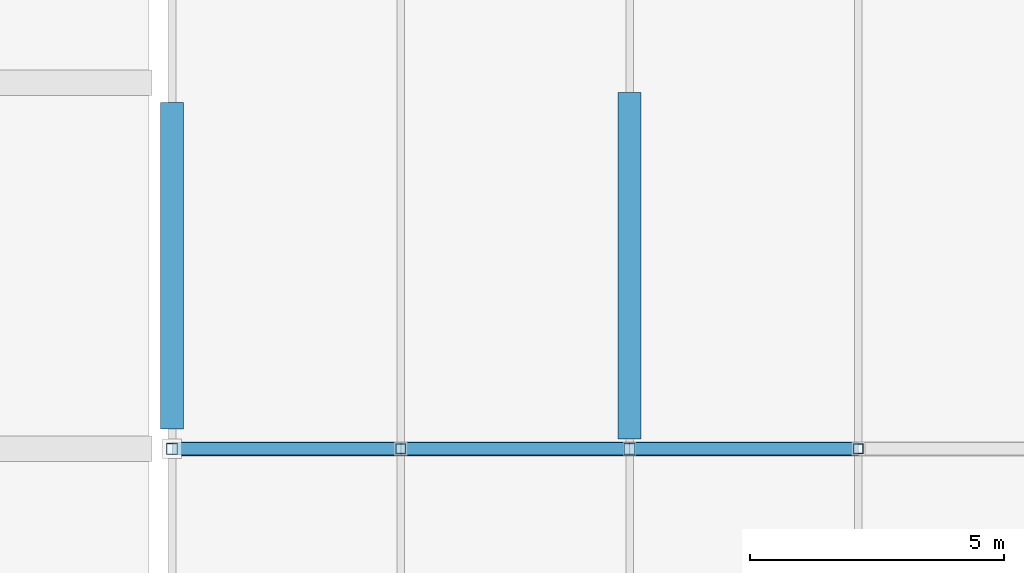
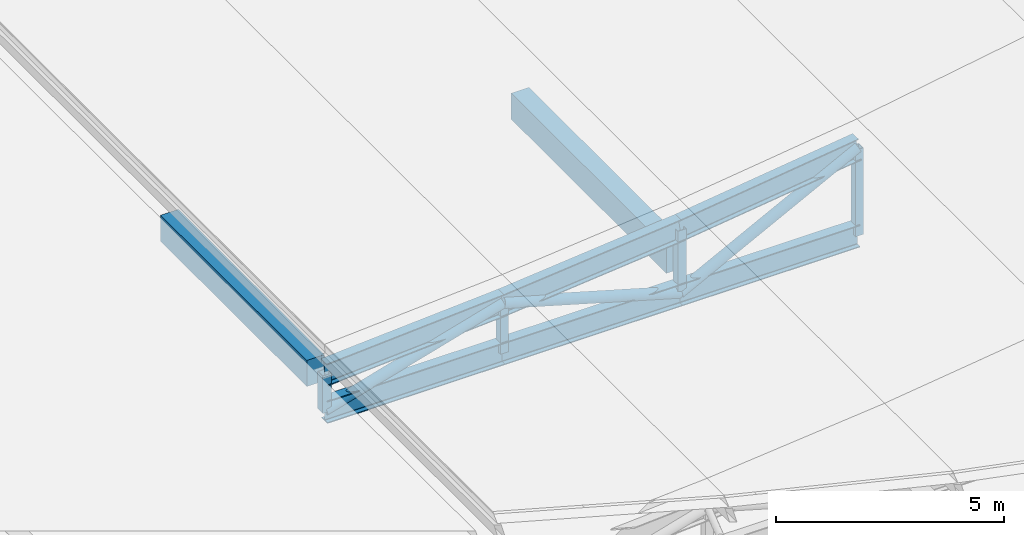
# One storey, part 11 of 24: 8 beams, 7 members.
"""IFC4 building model written with IfcOpenShell, lengths in metres."""

from ifc_helpers import new_model, si_unit, direction, frame, origin, origin_2d, place, context, subcontext, project, spatial, rectangle, hollow_rectangle, hollow_circle, i_section, extrude, material, material_profile, profile_set, type_object, element, save


model = new_model("IFC4")

# Units and contexts
model_context = context("Model", 3, precision=1e-05, world=origin(), true_north=direction((0.0, 1.0)))
body_context = subcontext(model_context, "Body", "Model", "MODEL_VIEW")
ifc_project = project(units=[si_unit("LENGTHUNIT", "METRE"), si_unit("AREAUNIT", "SQUARE_METRE"), si_unit("VOLUMEUNIT", "CUBIC_METRE"), si_unit("PLANEANGLEUNIT", "RADIAN"), si_unit("MASSUNIT", "GRAM", prefix="KILO"), si_unit("THERMODYNAMICTEMPERATUREUNIT", "KELVIN"), si_unit("POWERUNIT", "WATT")], contexts=[model_context])

# Site, building, storey
site_placement = place(None, origin())
site = spatial("IfcSite", under=ifc_project, at=site_placement, CompositionType="ELEMENT")
building_placement = place(site_placement, origin())
building = spatial("IfcBuilding", under=site, at=building_placement, Name="Sindhuravela Promenade Stadium", CompositionType="ELEMENT")
storey_placement = place(building_placement, frame((0.0, 0.0, 28.800048828125)))
storey = spatial("IfcBuildingStorey", under=building, at=storey_placement, Name="RF", CompositionType="ELEMENT", Elevation=28.800048828125)

# Beams
ifc_material_1 = material(Name="Concrete M40", Category="concrete")
ifc_material_profile_1 = material_profile(ifc_material_1, rectangle(XDim=0.449951171875, YDim=0.699951171875, at=origin_2d()), Name="RC 450x700")
ifc_profile_set_1 = profile_set([ifc_material_profile_1], Name="Concrete M40")
beam_type_1 = type_object("IfcBeamType", Name="RC-BM-450x700", PredefinedType="BEAM", material=ifc_profile_set_1)
beam_1_placement = place(storey_placement, frame((18.0, 93.989990234375, -0.590087890625), z_axis=(0.0, 1.0, 0.0), x_axis=(-1.0, 0.0, 0.0)))
element("IfcBeam", 1, at=beam_1_placement, inside=storey, type_object=beam_type_1, Name="Primary beam GB07 WEST RF", PredefinedType="BEAM", context=body_context, shape_type="SweptSolid", body=[
    extrude(rectangle(XDim=0.449951171875, YDim=0.699951171875, at=origin_2d()), origin(), (0.0, 0.0, 1.0), 6.419921875),
])
beam_2_placement = place(storey_placement, frame((27.0, 93.793212890625, -0.590087890625), z_axis=(0.0, 1.0, 0.0), x_axis=(-1.0, 0.0, 0.0)))
element("IfcBeam", 2, at=beam_2_placement, inside=storey, type_object=beam_type_1, Name="Primary beam GB07 WEST RF", PredefinedType="BEAM", context=body_context, shape_type="SweptSolid", body=[
    extrude(rectangle(XDim=0.449951171875, YDim=0.699951171875, at=origin_2d()), origin(), (0.0, 0.0, 1.0), 6.8134765625),
])
ifc_material_2 = material(Name="Steel E350 (IS 2062 E350BR)", Category="steel")
ifc_material_profile_2 = material_profile(ifc_material_2, i_section(OverallWidth=0.25, OverallDepth=0.60009765625, WebThickness=0.01171875, FlangeThickness=0.023681640625, FilletRadius=0.01708984375, at=origin_2d()), Name="ISWB 600")
ifc_profile_set_2 = profile_set([ifc_material_profile_2], Name="Steel E350 (IS 2062 E350BR)")
beam_type_2 = type_object("IfcBeamType", Name="ST-BM-WB600", PredefinedType="USERDEFINED", material=ifc_profile_set_2)
beam_3_placement = place(storey_placement, frame((18.0, 93.60009765625, -0.400146484375), z_axis=(0.9978804116779728, 0.0, 0.06507444958967683), x_axis=(0.0, 1.0, 0.0)))
element("IfcBeam", 3, at=beam_3_placement, inside=storey, type_object=beam_type_2, Name="Roof truss RT-W06 top chord 1", ObjectType="ROOF TRUSS", PredefinedType="USERDEFINED", context=body_context, shape_type="SweptSolid", body=[
    extrude(i_section(OverallWidth=0.25, OverallDepth=0.60009765625, WebThickness=0.01171875, FlangeThickness=0.023681640625, FilletRadius=0.01708984375, at=origin_2d()), origin(), (0.0, 0.0, 1.0), 4.509521484375),
])
beam_4_placement = place(storey_placement, frame((18.0, 93.60009765625, -1.400146484375), z_axis=(1.0, 0.0, 0.0), x_axis=(0.0, 1.0, 0.0)))
element("IfcBeam", 4, at=beam_4_placement, inside=storey, type_object=beam_type_2, Name="Roof truss RT-W06 bottom chord 1", ObjectType="ROOF TRUSS", PredefinedType="USERDEFINED", context=body_context, shape_type="SweptSolid", body=[
    extrude(i_section(OverallWidth=0.25, OverallDepth=0.60009765625, WebThickness=0.01171875, FlangeThickness=0.023681640625, FilletRadius=0.01708984375, at=origin_2d()), origin(), (0.0, 0.0, 1.0), 4.5),
])
beam_5_placement = place(storey_placement, frame((22.5, 93.60009765625, -0.106689453125), z_axis=(0.9953538541007115, 0.0, 0.09628450096905213), x_axis=(0.0, 1.0, 0.0)))
element("IfcBeam", 5, at=beam_5_placement, inside=storey, type_object=beam_type_2, Name="Roof truss RT-W06 top chord 2", ObjectType="ROOF TRUSS", PredefinedType="USERDEFINED", context=body_context, shape_type="SweptSolid", body=[
    extrude(i_section(OverallWidth=0.25, OverallDepth=0.60009765625, WebThickness=0.01171875, FlangeThickness=0.023681640625, FilletRadius=0.01708984375, at=origin_2d()), origin(), (0.0, 0.0, 1.0), 4.52099609375),
])
beam_6_placement = place(storey_placement, frame((22.5, 93.60009765625, -1.400146484375), z_axis=(1.0, 0.0, 0.0), x_axis=(0.0, 1.0, 0.0)))
element("IfcBeam", 6, at=beam_6_placement, inside=storey, type_object=beam_type_2, Name="Roof truss RT-W06 bottom chord 2", ObjectType="ROOF TRUSS", PredefinedType="USERDEFINED", context=body_context, shape_type="SweptSolid", body=[
    extrude(i_section(OverallWidth=0.25, OverallDepth=0.60009765625, WebThickness=0.01171875, FlangeThickness=0.023681640625, FilletRadius=0.01708984375, at=origin_2d()), origin(), (0.0, 0.0, 1.0), 4.5),
])
beam_7_placement = place(storey_placement, frame((27.0, 93.60009765625, 0.32861328125), z_axis=(0.9915324824363395, 0.0, 0.12985890910380443), x_axis=(0.0, 1.0, 0.0)))
element("IfcBeam", 7, at=beam_7_placement, inside=storey, type_object=beam_type_2, Name="Roof truss RT-W06 top chord 3", ObjectType="ROOF TRUSS", PredefinedType="USERDEFINED", context=body_context, shape_type="SweptSolid", body=[
    extrude(i_section(OverallWidth=0.25, OverallDepth=0.60009765625, WebThickness=0.01171875, FlangeThickness=0.023681640625, FilletRadius=0.01708984375, at=origin_2d()), origin(), (0.0, 0.0, 1.0), 4.538330078125),
])
beam_8_placement = place(storey_placement, frame((27.0, 93.60009765625, -1.400146484375), z_axis=(1.0, 0.0, 0.0), x_axis=(0.0, 1.0, 0.0)))
element("IfcBeam", 8, at=beam_8_placement, inside=storey, type_object=beam_type_2, Name="Roof truss RT-W06 bottom chord 3", ObjectType="ROOF TRUSS", PredefinedType="USERDEFINED", context=body_context, shape_type="SweptSolid", body=[
    extrude(i_section(OverallWidth=0.25, OverallDepth=0.60009765625, WebThickness=0.01171875, FlangeThickness=0.023681640625, FilletRadius=0.01708984375, at=origin_2d()), origin(), (0.0, 0.0, 1.0), 4.5),
])

# Members
ifc_material_profile_3 = material_profile(ifc_material_2, hollow_circle(Radius=0.136474609375, WallThickness=0.010009765625, at=origin_2d()), Name="CHS 273.0x10")
ifc_profile_set_3 = profile_set([ifc_material_profile_3], Name="Steel E350 (IS 2062 E350BR)")
member_type_1 = type_object("IfcMemberType", Name="ST-MB-CHS273", PredefinedType="BRACE", material=ifc_profile_set_3)
for number, where, z_axis, x_axis, name in (
    (9, (18.0, 93.60009765625, -1.400146484375), (0.9610859178775457, 0.0, 0.2762496306920159), (0.0, 1.0, 0.0), "Roof truss RT-W06 diagonal web 1"),
    (10, (22.5, 93.60009765625, -0.106689453125), (0.9610859178775457, 0.0, -0.2762496306920159), (0.0, 1.0, 0.0), "Roof truss RT-W06 diagonal web 2"),
):
    element("IfcMember", number, at=place(storey_placement, frame(where, z_axis=z_axis, x_axis=x_axis)), inside=storey, type_object=member_type_1, Name=name, PredefinedType="BRACE", context=body_context, shape_type="SweptSolid", body=[
        extrude(hollow_circle(Radius=0.136474609375, WallThickness=0.010009765625, at=origin_2d()), origin(), (0.0, 0.0, 1.0), 4.68212890625),
    ])
member_1_placement = place(storey_placement, frame((27.0, 93.60009765625, -1.400146484375), z_axis=(0.8889799113932431, 0.0, 0.457946194589781), x_axis=(0.0, 1.0, 0.0)))
element("IfcMember", 11, at=member_1_placement, inside=storey, type_object=member_type_1, Name="Roof truss RT-W06 diagonal web 3", PredefinedType="BRACE", context=body_context, shape_type="SweptSolid", body=[
    extrude(hollow_circle(Radius=0.136474609375, WallThickness=0.010009765625, at=origin_2d()), origin(), (0.0, 0.0, 1.0), 5.06201171875),
])
ifc_material_profile_4 = material_profile(ifc_material_2, hollow_rectangle(XDim=0.199951171875, YDim=0.199951171875, WallThickness=0.010009765625, at=origin_2d()), Name="SHS 200x200x10")
ifc_profile_set_4 = profile_set([ifc_material_profile_4], Name="Steel E350 (IS 2062 E350BR)")
member_type_2 = type_object("IfcMemberType", Name="ST-MB-SHS200", PredefinedType="POST", material=ifc_profile_set_4)
member_2_placement = place(storey_placement, frame((22.5, 93.60009765625, -1.400146484375), z_axis=(0.0, 0.0, 1.0), x_axis=(1.0, 0.0, 0.0)))
element("IfcMember", 12, at=member_2_placement, inside=storey, type_object=member_type_2, Name="Roof truss RT-W06 vertical post 2", PredefinedType="POST", context=body_context, shape_type="SweptSolid", body=[
    extrude(hollow_rectangle(XDim=0.199951171875, YDim=0.199951171875, WallThickness=0.010009765625, at=origin_2d()), origin(), (0.0, 0.0, 1.0), 1.29345703125),
])
member_3_placement = place(storey_placement, frame((31.5, 93.60009765625, -1.400146484375), z_axis=(0.0, 0.0, 1.0), x_axis=(1.0, 0.0, 0.0)))
element("IfcMember", 13, at=member_3_placement, inside=storey, type_object=member_type_2, Name="Roof truss RT-W06 vertical post 4", PredefinedType="POST", context=body_context, shape_type="SweptSolid", body=[
    extrude(hollow_rectangle(XDim=0.199951171875, YDim=0.199951171875, WallThickness=0.010009765625, at=origin_2d()), origin(), (0.0, 0.0, 1.0), 2.318115234375),
])
ifc_material_profile_5 = material_profile(ifc_material_2, hollow_rectangle(XDim=0.219970703125, YDim=0.219970703125, WallThickness=0.011962890625, at=origin_2d()), Name="SHS 220x220x12")
ifc_profile_set_5 = profile_set([ifc_material_profile_5], Name="Steel E350 (IS 2062 E350BR)")
member_type_3 = type_object("IfcMemberType", Name="ST-MB-SHS220", PredefinedType="POST", material=ifc_profile_set_5)
member_4_placement = place(storey_placement, frame((18.0, 93.60009765625, -1.400146484375), z_axis=(0.0, 0.0, 1.0), x_axis=(1.0, 0.0, 0.0)))
element("IfcMember", 14, at=member_4_placement, inside=storey, type_object=member_type_3, Name="Roof truss RT-W06 vertical post 1", PredefinedType="POST", context=body_context, shape_type="SweptSolid", body=[
    extrude(hollow_rectangle(XDim=0.219970703125, YDim=0.219970703125, WallThickness=0.011962890625, at=origin_2d()), origin(), (0.0, 0.0, 1.0), 1.0),
])
member_5_placement = place(storey_placement, frame((27.0, 93.60009765625, -1.400146484375), z_axis=(0.0, 0.0, 1.0), x_axis=(1.0, 0.0, 0.0)))
element("IfcMember", 15, at=member_5_placement, inside=storey, type_object=member_type_3, Name="Roof truss RT-W06 vertical post 3", PredefinedType="POST", context=body_context, shape_type="SweptSolid", body=[
    extrude(hollow_rectangle(XDim=0.219970703125, YDim=0.219970703125, WallThickness=0.011962890625, at=origin_2d()), origin(), (0.0, 0.0, 1.0), 1.728759765625),
])

save(model, "model.ifc")
